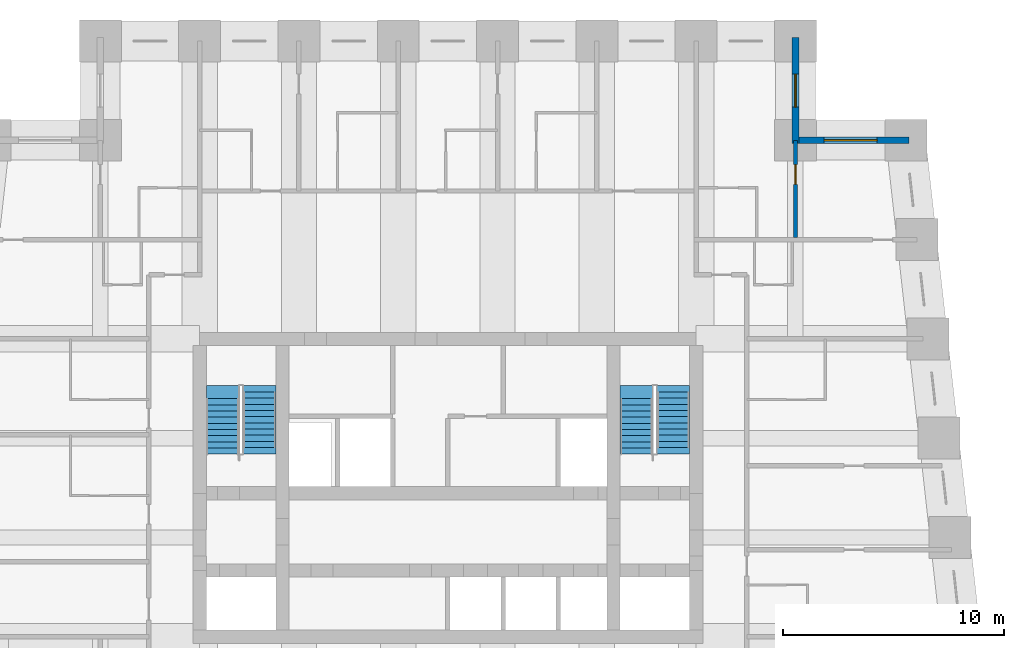
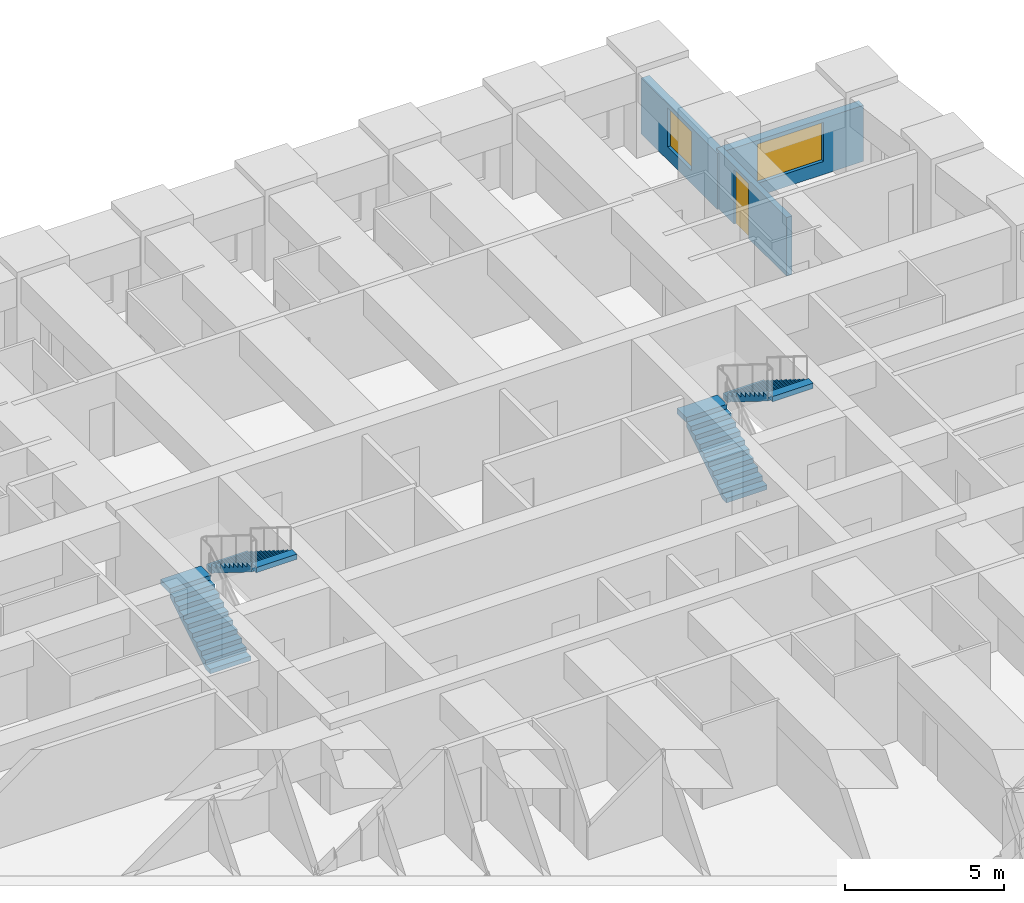
# One storey, part 7 of 8: 4 stair flights, 3 walls, 2 windows, 1 door, 3 openings, 2 elements without a shape of their own.
"""IFC4 building model written with IfcOpenShell, lengths in metres."""

import ifcopenshell
import ifcopenshell.guid

model = None  # the IFC model being written
_history = None  # IfcOwnerHistory: only IFC2X3 demands one
_inside = {}  # id of a spatial element -> (the spatial element, [elements in it])
_under = {}  # id of a project, library or spatial element -> (it, [spatial elements below it])
_declared = {}  # id of a project -> (the project, [libraries it declares])
_typed = {}  # id of a type object -> (the type object, [elements of that type])
_made_of = {}  # id of a material, layer set ... -> (it, [elements and type objects made of it])


def new_model(schema):
    """Start an empty IFC model of exactly this schema.

    Asked for "IFC4X3", IfcOpenShell would pick the latest addendum, in which some entities
    have other attributes; the version numbers below select the first issue.
    IFC2X3 requires an IfcOwnerHistory on every rooted entity: one is made here for all.
    """
    global model, _history
    if schema == "IFC4X3":
        model = ifcopenshell.file(schema_version=(4, 3, 0, 0))
    else:
        model = ifcopenshell.file(schema=schema)
    _inside.clear()
    _under.clear()
    _declared.clear()
    _typed.clear()
    _made_of.clear()
    _history = None
    if model.schema == "IFC2X3":
        org = make("IfcOrganization", Name="unknown")
        user = make(
            "IfcPersonAndOrganization",
            ThePerson=make("IfcPerson", FamilyName="unknown"),
            TheOrganization=org,
        )
        app = make(
            "IfcApplication",
            ApplicationDeveloper=org,
            Version="unknown",
            ApplicationFullName="unknown",
            ApplicationIdentifier="unknown",
        )
        _history = make(
            "IfcOwnerHistory",
            OwningUser=user,
            OwningApplication=app,
            ChangeAction="ADDED",
            CreationDate=0,
        )
    return model


def make(cls, **values):
    """One entity of the class cls with the attributes given. An attribute that is None is left unset."""
    return model.create_entity(
        cls, **{name: value for name, value in values.items() if value is not None}
    )


def rooted(cls, **values):
    """An entity with a GlobalId (a new one), such as an element, a storey or a relation."""
    return make(cls, GlobalId=ifcopenshell.guid.new(), OwnerHistory=_history, **values)


def si_unit(unit_type, name, prefix=None):
    """IfcSIUnit, for example si_unit("LENGTHUNIT", "METRE", prefix="MILLI")."""
    return make("IfcSIUnit", UnitType=unit_type, Prefix=prefix, Name=name)


def assignment(units):
    """IfcUnitAssignment: the units of a project."""
    return None if units is None else make("IfcUnitAssignment", Units=units)


def point(xyz):
    """IfcCartesianPoint."""
    return None if xyz is None else make("IfcCartesianPoint", Coordinates=xyz)


def direction(xyz):
    """IfcDirection."""
    return None if xyz is None else make("IfcDirection", DirectionRatios=xyz)


def frame(location, z_axis=None, x_axis=None):
    """IfcAxis2Placement3D, a coordinate frame: its origin and axes. An axis left out is left unset."""
    return make(
        "IfcAxis2Placement3D",
        Location=point(location),
        Axis=direction(z_axis),
        RefDirection=direction(x_axis),
    )


def frame_2d(location, x_axis=None):
    """IfcAxis2Placement2D, a coordinate frame in the plane: its origin and x axis."""
    return make(
        "IfcAxis2Placement2D", Location=point(location), RefDirection=direction(x_axis)
    )


def origin():
    """The frame at (0, 0, 0) with its axes left unset."""
    return frame((0.0, 0.0, 0.0))


def place(relative_to, where):
    """IfcLocalPlacement: puts the frame where relative to a parent placement (None: the world)."""
    return make(
        "IfcLocalPlacement", PlacementRelTo=relative_to, RelativePlacement=where
    )


def context(
    kind, dimensions, precision=None, world=None, true_north=None, identifier=None
):
    """IfcGeometricRepresentationContext, for example the 3D "Model" context."""
    return make(
        "IfcGeometricRepresentationContext",
        ContextIdentifier=identifier,
        ContextType=kind,
        CoordinateSpaceDimension=dimensions,
        Precision=precision,
        WorldCoordinateSystem=world,
        TrueNorth=true_north,
    )


def subcontext(parent, identifier, kind, view, scale=None):
    """IfcGeometricRepresentationSubContext, for example "Body" below "Model"."""
    return make(
        "IfcGeometricRepresentationSubContext",
        ContextIdentifier=identifier,
        ContextType=kind,
        ParentContext=parent,
        TargetScale=scale,
        TargetView=view,
    )


def project(units=None, contexts=None):
    """IfcProject with its units and contexts."""
    return rooted(
        "IfcProject",
        Name="project",
        RepresentationContexts=contexts,
        UnitsInContext=assignment(units),
    )


def spatial(cls, under=None, at=None, **own):
    """A site, building, storey or space (cls), placed at a placement, below another one or the project."""
    s = rooted(cls, ObjectPlacement=at, **own)
    if under is not None:
        _under.setdefault(under.id(), (under, []))[1].append(s)
    return s


def polyline(points):
    """IfcPolyline through the points."""
    return make("IfcPolyline", Points=[point(p) for p in points])


def profile(cls, at=None, kind="AREA", **sizes):
    """A parametric profile (cls). Its sizes go by their IFC names, for example OverallWidth=200.0."""
    return make(cls, ProfileType=kind, Position=at, **sizes)


def rectangle(**sizes):
    """IfcRectangleProfileDef."""
    return profile("IfcRectangleProfileDef", **sizes)


def outline(outer, holes=None, kind="AREA"):
    """IfcArbitraryClosedProfileDef: a profile drawn as a closed curve; with holes, ...WithVoids."""
    if holes is None:
        return make("IfcArbitraryClosedProfileDef", ProfileType=kind, OuterCurve=outer)
    return make(
        "IfcArbitraryProfileDefWithVoids",
        ProfileType=kind,
        OuterCurve=outer,
        InnerCurves=holes,
    )


def extrude(swept, where, along, depth):
    """IfcExtrudedAreaSolid: the profile swept, set in the frame where, extruded along a direction by depth."""
    return make(
        "IfcExtrudedAreaSolid",
        SweptArea=swept,
        Position=where,
        ExtrudedDirection=direction(along),
        Depth=depth,
    )


def shape(context_of_items, identifier, shape_type, items):
    """IfcShapeRepresentation: the items that make up one representation, for example the "Body"."""
    return make(
        "IfcShapeRepresentation",
        ContextOfItems=context_of_items,
        RepresentationIdentifier=identifier,
        RepresentationType=shape_type,
        Items=items,
    )


def material(Name=None, Category=None):
    """IfcMaterial."""
    return make("IfcMaterial", Name=Name, Category=Category)


def layer(
    of_material, thickness, ventilated=None, Name=None, Category=None, Priority=None
):
    """IfcMaterialLayer: one layer of a wall or slab, of a material (None: an air gap)."""
    return make(
        "IfcMaterialLayer",
        Material=of_material,
        LayerThickness=thickness,
        IsVentilated=ventilated,
        Name=Name,
        Category=Category,
        Priority=Priority,
    )


def layer_set(layers, Name=None):
    """IfcMaterialLayerSet."""
    return make("IfcMaterialLayerSet", MaterialLayers=layers, LayerSetName=Name)


def made_of(thing, what):
    """Note that an element or type object is made of a material, layer set ...; save() writes the relation."""
    if what is not None:
        _made_of.setdefault(what.id(), (what, []))[1].append(thing)
    return thing


def type_object(cls, material=None, **own):
    """A type object (cls), such as IfcWallType, which elements share."""
    return made_of(rooted(cls, **own), material)


def element(
    cls,
    number,
    at=None,
    inside=None,
    cuts=None,
    type_object=None,
    material=None,
    context=None,
    identifier="Body",
    shape_type=None,
    held_by="IfcProductDefinitionShape",
    body=None,
    shapes=None,
    **own,
):
    """One element of the class cls, such as IfcWall. Its Tag is "e" and its number.

    at: its placement. inside: the storey or other place that contains it. cuts: it is an
    opening in that element (IfcRelVoidsElement). A single representation is given by context,
    identifier, shape_type and body (its items); several are given by shapes. held_by: the class
    of the entity that holds the representations. save() writes the other relations.
    """
    e = rooted(cls, Tag="e%d" % number, ObjectPlacement=at, **own)
    if body is not None:
        shapes = [shape(context, identifier, shape_type, body)]
    if shapes is not None:
        e.Representation = make(held_by, Representations=shapes)
    if inside is not None:
        _inside.setdefault(inside.id(), (inside, []))[1].append(e)
    if cuts is not None:
        rooted(
            "IfcRelVoidsElement", RelatingBuildingElement=cuts, RelatedOpeningElement=e
        )
    if type_object is not None:
        _typed.setdefault(type_object.id(), (type_object, []))[1].append(e)
    return made_of(e, material)


def fill(opening, filler):
    """IfcRelFillsElement: the door or window that sits in an opening."""
    return rooted(
        "IfcRelFillsElement",
        RelatingOpeningElement=opening,
        RelatedBuildingElement=filler,
    )


def aggregate(whole, parts):
    """IfcRelAggregates: a whole, such as a stair, and the parts it consists of."""
    return rooted("IfcRelAggregates", RelatingObject=whole, RelatedObjects=parts)


def save(model, path):
    """Write the relations noted so far, then the file.

    IfcRelAggregates (storeys below a building ...), IfcRelContainedInSpatialStructure (elements
    in a storey), IfcRelDefinesByType, IfcRelAssociatesMaterial and IfcRelDeclares: one each for
    every whole, place, type object, material and project.
    """
    for whole, parts in _under.values():
        aggregate(whole, parts)
    for where, things in _inside.values():
        rooted(
            "IfcRelContainedInSpatialStructure",
            RelatedElements=things,
            RelatingStructure=where,
        )
    for kind, things in _typed.values():
        rooted("IfcRelDefinesByType", RelatedObjects=things, RelatingType=kind)
    for what, things in _made_of.values():
        rooted("IfcRelAssociatesMaterial", RelatedObjects=things, RelatingMaterial=what)
    for by, libraries in _declared.values():
        rooted("IfcRelDeclares", RelatingContext=by, RelatedDefinitions=libraries)
    model.write(path)


model = new_model("IFC4")

# Units and contexts
model_context = context("Model", 3, precision=1e-05, world=origin(), true_north=direction((0.0, 1.0)))
body_context = subcontext(model_context, "Body", "Model", "MODEL_VIEW")
ifc_project = project(units=[si_unit("LENGTHUNIT", "METRE"), si_unit("AREAUNIT", "SQUARE_METRE"), si_unit("VOLUMEUNIT", "CUBIC_METRE"), si_unit("PLANEANGLEUNIT", "RADIAN"), si_unit("MASSUNIT", "GRAM", prefix="KILO")], contexts=[model_context])

# Site, building, storey
site_placement = place(None, origin())
site = spatial("IfcSite", under=ifc_project, at=site_placement, CompositionType="ELEMENT")
building_placement = place(site_placement, origin())
building = spatial("IfcBuilding", under=site, at=building_placement, Name="Kilele Tower Hotel", CompositionType="ELEMENT")
storey_placement = place(building_placement, frame((0.0, 0.0, 131.89990234375)))
storey = spatial("IfcBuildingStorey", under=building, at=storey_placement, Name="L34", CompositionType="ELEMENT", Elevation=131.89990234375)

# Wall, opening, door
ifc_material_1 = material(Name="Blockwork, plastered both sides", Category="masonry")
ifc_layer_1 = layer(ifc_material_1, 0.199951171875)
ifc_layer_set_1 = layer_set([ifc_layer_1], Name="Blockwork, plastered both sides")
wall_type_1 = type_object("IfcWallType", Name="Partition wall 200", PredefinedType="PARTITIONING", material=ifc_layer_set_1)
wall_1_placement = place(storey_placement, frame((40.5, 31.60009765625, 0.0), z_axis=(0.0, 0.0, 1.0), x_axis=(0.0, 1.0, 0.0)))
wall_1 = element("IfcWall", 1, at=wall_1_placement, inside=storey, type_object=wall_type_1, Name="Partition wall 200 L34", PredefinedType="PARTITIONING", context=body_context, shape_type="SweptSolid", body=[
    extrude(rectangle(XDim=4.39990234375, YDim=0.199951171875, at=frame_2d((2.199951171875, 0.0))), origin(), (0.0, 0.0, 1.0), 2.25),
])
opening_1_placement = place(wall_1_placement, frame((2.39990234375, 0.0, 0.0)))
opening_1 = element("IfcOpeningElement", 2, at=opening_1_placement, cuts=wall_1, Name="Opening D3", PredefinedType="OPENING", context=body_context, shape_type="SweptSolid", body=[
    extrude(rectangle(XDim=0.89990234375, YDim=2.10009765625, at=frame_2d((0.449951171875, 1.050048828125))), frame((0.0, 0.10986328125, 0.0), z_axis=(0.0, -1.0, 0.0), x_axis=(1.0, 0.0, 0.0)), (0.0, 0.0, 1.0), 0.219970703125),
])
ifc_material_2 = material(Name="Timber door leaf in hardwood frame", Category="wood")
door_type = type_object("IfcDoorType", Name="Suite internal door 900", OperationType="SINGLE_SWING_LEFT", PredefinedType="DOOR", material=ifc_material_2)
door_placement = place(opening_1_placement, origin())
door = element("IfcDoor", 3, at=door_placement, inside=storey, type_object=door_type, Name="Suite door 3425", OperationType="SINGLE_SWING_RIGHT", OverallHeight=2.10009765625, OverallWidth=0.89990234375, PredefinedType="DOOR", context=body_context, shape_type="SweptSolid", body=[
    extrude(rectangle(XDim=0.89990234375, YDim=2.10009765625, at=frame_2d((0.449951171875, 1.050048828125))), frame((0.0, 0.02490234375, 0.0), z_axis=(0.0, -1.0, 0.0), x_axis=(1.0, 0.0, 0.0)), (0.0, 0.0, 1.0), 0.050048828125),
])
fill(opening_1, door)

# Wall, opening, window
ifc_material_3 = material(Name="Concrete C40/50 precast", Category="concrete")
ifc_layer_2 = layer(ifc_material_3, 0.260009765625, Name="Precast backing", Category="LoadBearing")
ifc_material_4 = material(Name="Reconstituted stone finish", Category="masonry")
ifc_layer_3 = layer(ifc_material_4, 0.0400390625, Name="Face mix", Category="Finish")
ifc_layer_set_2 = layer_set([ifc_layer_2, ifc_layer_3], Name="Precast concrete C40/50, reconstituted stone finish")
wall_type_2 = type_object("IfcWallType", Name="Precast stone facade wall 300", PredefinedType="STANDARD", material=ifc_layer_set_2)
wall_2_placement = place(storey_placement, frame((45.64990234375, 36.0, 0.0), z_axis=(0.0, 0.0, 1.0), x_axis=(-1.0, 0.0, 0.0)))
wall_2 = element("IfcWall", 4, at=wall_2_placement, inside=storey, type_object=wall_type_2, Name="Facade wall L34 edge 7", PredefinedType="STANDARD", context=body_context, shape_type="SweptSolid", body=[
    extrude(rectangle(XDim=5.2998046875, YDim=0.300048828125, at=frame_2d((2.64990234375, 0.0))), origin(), (0.0, 0.0, 1.0), 2.150146484375),
])
opening_2_placement = place(wall_2_placement, frame((1.449951171875, 0.0, 0.5)))
opening_2 = element("IfcOpeningElement", 5, at=opening_2_placement, cuts=wall_2, Name="Opening W2", PredefinedType="OPENING", context=body_context, shape_type="SweptSolid", body=[
    extrude(rectangle(XDim=2.39990234375, YDim=1.5, at=frame_2d((1.199951171875, 0.75))), frame((0.0, 0.159912109375, 0.0), z_axis=(0.0, -1.0, 0.0), x_axis=(1.0, 0.0, 0.0)), (0.0, 0.0, 1.0), 0.320068359375),
])
ifc_material_5 = material(Name="Aluminium frame, clear double glazing", Category="aluminium")
window_type_1 = type_object("IfcWindowType", Name="Window W2 2400 x 1500", PartitioningType="SINGLE_PANEL", PredefinedType="WINDOW", material=ifc_material_5)
window_1_placement = place(opening_2_placement, origin())
window_1 = element("IfcWindow", 6, at=window_1_placement, inside=storey, type_object=window_type_1, Name="Window L34", OverallHeight=1.5, OverallWidth=2.39990234375, PartitioningType="SINGLE_PANEL", PredefinedType="WINDOW", context=body_context, shape_type="SweptSolid", body=[
    extrude(rectangle(XDim=2.39990234375, YDim=1.5, at=frame_2d((1.199951171875, 0.75))), frame((0.0, 0.030029296875, 0.0), z_axis=(0.0, -1.0, 0.0), x_axis=(1.0, 0.0, 0.0)), (0.0, 0.0, 1.0), 0.06005859375),
])
fill(opening_2, window_1)

wall_3_placement = place(storey_placement, frame((40.5, 35.85009765625, 0.0), z_axis=(0.0, 0.0, 1.0), x_axis=(0.0, 1.0, 0.0)))
wall_3 = element("IfcWall", 7, at=wall_3_placement, inside=storey, type_object=wall_type_2, Name="Facade wall L34 edge 8", PredefinedType="STANDARD", context=body_context, shape_type="SweptSolid", body=[
    extrude(rectangle(XDim=4.7998046875, YDim=0.300048828125, at=frame_2d((2.39990234375, 0.0))), origin(), (0.0, 0.0, 1.0), 2.150146484375),
])
opening_3_placement = place(wall_3_placement, frame((1.64990234375, 0.0, 0.5)))
opening_3 = element("IfcOpeningElement", 8, at=opening_3_placement, cuts=wall_3, Name="Opening W2", PredefinedType="OPENING", context=body_context, shape_type="SweptSolid", body=[
    extrude(rectangle(XDim=1.5, YDim=1.5, at=frame_2d((0.75, 0.75))), frame((0.0, 0.159912109375, 0.0), z_axis=(0.0, -1.0, 0.0), x_axis=(1.0, 0.0, 0.0)), (0.0, 0.0, 1.0), 0.320068359375),
])
ifc_material_6 = material(Name="Aluminium frame, clear double glazing", Category="aluminium")
window_type_2 = type_object("IfcWindowType", Name="Window W2 1500 x 1500", PartitioningType="SINGLE_PANEL", PredefinedType="WINDOW", material=ifc_material_6)
window_2_placement = place(opening_3_placement, origin())
window_2 = element("IfcWindow", 9, at=window_2_placement, inside=storey, type_object=window_type_2, Name="Window L34", OverallHeight=1.5, OverallWidth=1.5, PartitioningType="SINGLE_PANEL", PredefinedType="WINDOW", context=body_context, shape_type="SweptSolid", body=[
    extrude(rectangle(XDim=1.5, YDim=1.5, at=frame_2d((0.75, 0.75))), frame((0.0, 0.030029296875, 0.0), z_axis=(0.0, -1.0, 0.0), x_axis=(1.0, 0.0, 0.0)), (0.0, 0.0, 1.0), 0.06005859375),
])
fill(opening_3, window_2)

# Stair, stair flights
ifc_material_7 = material(Name="Precast concrete C40/50", Category="concrete")
stair_type = type_object("IfcStairType", Name="Stair 1475 x 3500", PredefinedType="HALF_TURN_STAIR", material=ifc_material_7)
stair_1_placement = place(storey_placement, origin())
stair_1 = element("IfcStair", 10, at=stair_1_placement, inside=storey, type_object=stair_type, Name="Stair 1 L34", PredefinedType="HALF_TURN_STAIR")
ifc_material_8 = material(Name="Precast concrete C40/50", Category="concrete")
stair_flight_type = type_object("IfcStairFlightType", Name="Flight 1475 riser 175.0", PredefinedType="STRAIGHT", material=ifc_material_8)
stair_flight_1_placement = place(storey_placement, frame((14.53759765625, 21.77490234375, 0.0), z_axis=(0.0, 0.0, 1.0), x_axis=(0.0, 1.0, 0.0)))
stair_flight_1 = element("IfcStairFlight", 11, at=stair_flight_1_placement, type_object=stair_flight_type, Name="ST1 flight 1", NumberOfRisers=10, NumberOfTreads=9, PredefinedType="STRAIGHT", RiserHeight=0.175, TreadLength=0.28, context=body_context, shape_type="SweptSolid", body=[
    extrude(outline(polyline([(0.0, 0.0), (0.0, 0.175048828125), (0.280029296875, 0.175048828125), (0.280029296875, 0.35009765625), (0.56005859375, 0.35009765625), (0.56005859375, 0.52490234375), (0.840087890625, 0.52490234375), (0.840087890625, 0.699951171875), (1.1201171875, 0.699951171875), (1.1201171875, 0.875), (1.39990234375, 0.875), (1.39990234375, 1.050048828125), (1.679931640625, 1.050048828125), (1.679931640625, 1.22509765625), (1.9599609375, 1.22509765625), (1.9599609375, 1.39990234375), (2.239990234375, 1.39990234375), (2.239990234375, 1.574951171875), (2.52001953125, 1.574951171875), (2.52001953125, 1.75), (2.52001953125, 1.398193359375), (0.28271484375, 0.0), (0.0, 0.0)])), frame((0.0, 0.737548828125, 0.0), z_axis=(0.0, -1.0, 0.0), x_axis=(1.0, 0.0, 0.0)), (0.0, 0.0, 1.0), 1.47509765625),
    extrude(outline(polyline([(2.52001953125, 0.737548828125), (2.52001953125, -0.7373046875), (3.1201171875, -0.7373046875), (3.1201171875, 0.737548828125), (2.52001953125, 0.737548828125)])), frame((0.0, 0.0, 1.550048828125)), (0.0, 0.0, 1.0), 0.199951171875),
])
stair_flight_2_placement = place(storey_placement, frame((16.21240234375, 24.594970703125, 1.75), z_axis=(0.0, 0.0, 1.0), x_axis=(0.0, -1.0, 0.0)))
stair_flight_2 = element("IfcStairFlight", 12, at=stair_flight_2_placement, type_object=stair_flight_type, Name="ST1 flight 2", NumberOfRisers=10, NumberOfTreads=9, PredefinedType="STRAIGHT", RiserHeight=0.175, TreadLength=0.28, context=body_context, shape_type="SweptSolid", body=[
    extrude(outline(polyline([(0.0, 0.0), (0.0, 0.175048828125), (0.280029296875, 0.175048828125), (0.280029296875, 0.35009765625), (0.56005859375, 0.35009765625), (0.56005859375, 0.52490234375), (0.840087890625, 0.52490234375), (0.840087890625, 0.699951171875), (1.1201171875, 0.699951171875), (1.1201171875, 0.875), (1.39990234375, 0.875), (1.39990234375, 1.050048828125), (1.679931640625, 1.050048828125), (1.679931640625, 1.22509765625), (1.9599609375, 1.22509765625), (1.9599609375, 1.39990234375), (2.239990234375, 1.39990234375), (2.239990234375, 1.574951171875), (2.52001953125, 1.574951171875), (2.52001953125, 1.75), (2.52001953125, 1.398193359375), (0.28271484375, 0.0), (0.0, 0.0)])), frame((0.0, 0.737548828125, 0.0), z_axis=(0.0, -1.0, 0.0), x_axis=(1.0, 0.0, 0.0)), (0.0, 0.0, 1.0), 1.47509765625),
    extrude(outline(polyline([(0.0, -0.7373046875), (0.0, 0.737548828125), (-0.300048828125, 0.737548828125), (-0.300048828125, -0.7373046875), (0.0, -0.7373046875)])), frame((0.0, 0.0, -0.199951171875)), (0.0, 0.0, 1.0), 0.199951171875),
    extrude(outline(polyline([(2.820068359375, -0.7373046875), (2.820068359375, 0.737548828125), (2.52001953125, 0.737548828125), (2.52001953125, -0.7373046875), (2.820068359375, -0.7373046875)])), frame((0.0, 0.0, 1.550048828125)), (0.0, 0.0, 1.0), 0.199951171875),
])
aggregate(stair_1, [stair_flight_1, stair_flight_2])

stair_2_placement = place(storey_placement, origin())
stair_2 = element("IfcStair", 13, at=stair_2_placement, inside=storey, type_object=stair_type, Name="Stair 2 L34", PredefinedType="HALF_TURN_STAIR")
stair_flight_3_placement = place(storey_placement, frame((33.28759765625, 21.77490234375, 0.0), z_axis=(0.0, 0.0, 1.0), x_axis=(0.0, 1.0, 0.0)))
stair_flight_3 = element("IfcStairFlight", 14, at=stair_flight_3_placement, type_object=stair_flight_type, Name="ST2 flight 1", NumberOfRisers=10, NumberOfTreads=9, PredefinedType="STRAIGHT", RiserHeight=0.175, TreadLength=0.28, context=body_context, shape_type="SweptSolid", body=[
    extrude(outline(polyline([(0.0, 0.0), (0.0, 0.175048828125), (0.280029296875, 0.175048828125), (0.280029296875, 0.35009765625), (0.56005859375, 0.35009765625), (0.56005859375, 0.52490234375), (0.840087890625, 0.52490234375), (0.840087890625, 0.699951171875), (1.1201171875, 0.699951171875), (1.1201171875, 0.875), (1.39990234375, 0.875), (1.39990234375, 1.050048828125), (1.679931640625, 1.050048828125), (1.679931640625, 1.22509765625), (1.9599609375, 1.22509765625), (1.9599609375, 1.39990234375), (2.239990234375, 1.39990234375), (2.239990234375, 1.574951171875), (2.52001953125, 1.574951171875), (2.52001953125, 1.75), (2.52001953125, 1.398193359375), (0.28271484375, 0.0), (0.0, 0.0)])), frame((0.0, 0.737548828125, 0.0), z_axis=(0.0, -1.0, 0.0), x_axis=(1.0, 0.0, 0.0)), (0.0, 0.0, 1.0), 1.47509765625),
    extrude(outline(polyline([(2.52001953125, 0.737548828125), (2.52001953125, -0.7373046875), (3.1201171875, -0.7373046875), (3.1201171875, 0.737548828125), (2.52001953125, 0.737548828125)])), frame((0.0, 0.0, 1.550048828125)), (0.0, 0.0, 1.0), 0.199951171875),
])
stair_flight_4_placement = place(storey_placement, frame((34.96240234375, 24.594970703125, 1.75), z_axis=(0.0, 0.0, 1.0), x_axis=(0.0, -1.0, 0.0)))
stair_flight_4 = element("IfcStairFlight", 15, at=stair_flight_4_placement, type_object=stair_flight_type, Name="ST2 flight 2", NumberOfRisers=10, NumberOfTreads=9, PredefinedType="STRAIGHT", RiserHeight=0.175, TreadLength=0.28, context=body_context, shape_type="SweptSolid", body=[
    extrude(outline(polyline([(0.0, 0.0), (0.0, 0.175048828125), (0.280029296875, 0.175048828125), (0.280029296875, 0.35009765625), (0.56005859375, 0.35009765625), (0.56005859375, 0.52490234375), (0.840087890625, 0.52490234375), (0.840087890625, 0.699951171875), (1.1201171875, 0.699951171875), (1.1201171875, 0.875), (1.39990234375, 0.875), (1.39990234375, 1.050048828125), (1.679931640625, 1.050048828125), (1.679931640625, 1.22509765625), (1.9599609375, 1.22509765625), (1.9599609375, 1.39990234375), (2.239990234375, 1.39990234375), (2.239990234375, 1.574951171875), (2.52001953125, 1.574951171875), (2.52001953125, 1.75), (2.52001953125, 1.398193359375), (0.28271484375, 0.0), (0.0, 0.0)])), frame((0.0, 0.737548828125, 0.0), z_axis=(0.0, -1.0, 0.0), x_axis=(1.0, 0.0, 0.0)), (0.0, 0.0, 1.0), 1.47509765625),
    extrude(outline(polyline([(0.0, -0.7373046875), (0.0, 0.737548828125), (-0.300048828125, 0.737548828125), (-0.300048828125, -0.7373046875), (0.0, -0.7373046875)])), frame((0.0, 0.0, -0.199951171875)), (0.0, 0.0, 1.0), 0.199951171875),
    extrude(outline(polyline([(2.820068359375, -0.7373046875), (2.820068359375, 0.737548828125), (2.52001953125, 0.737548828125), (2.52001953125, -0.7373046875), (2.820068359375, -0.7373046875)])), frame((0.0, 0.0, 1.550048828125)), (0.0, 0.0, 1.0), 0.199951171875),
])
aggregate(stair_2, [stair_flight_3, stair_flight_4])

save(model, "model.ifc")
